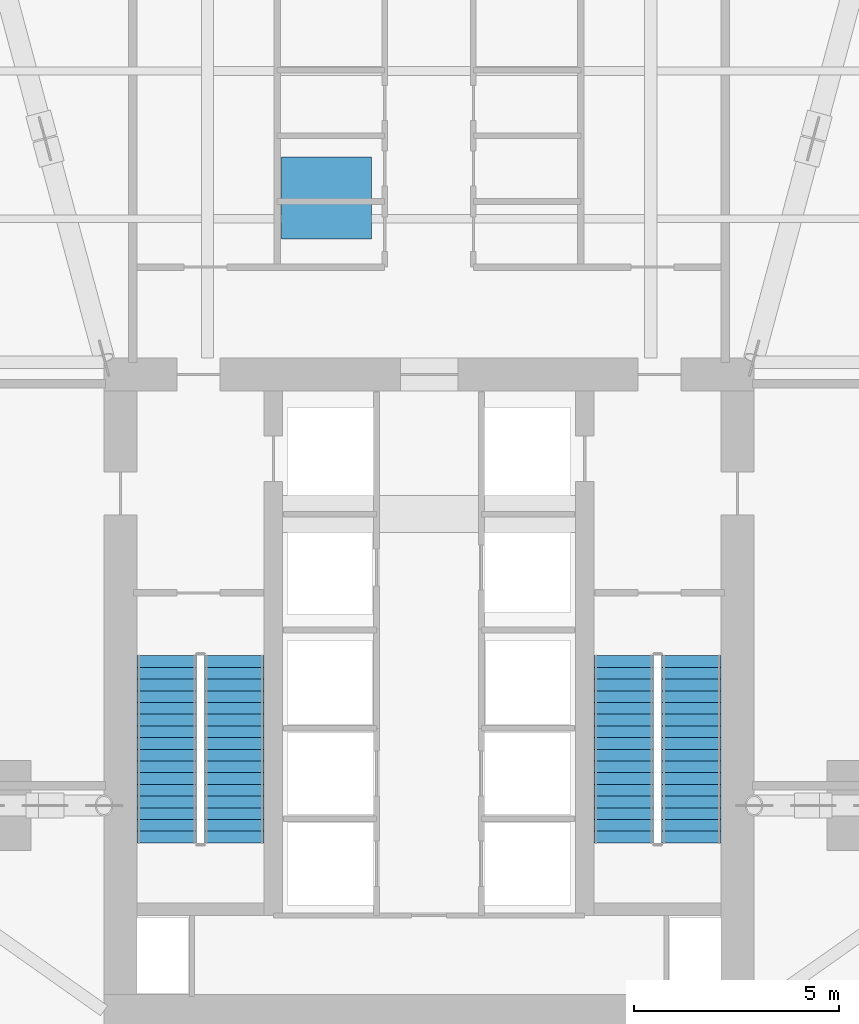
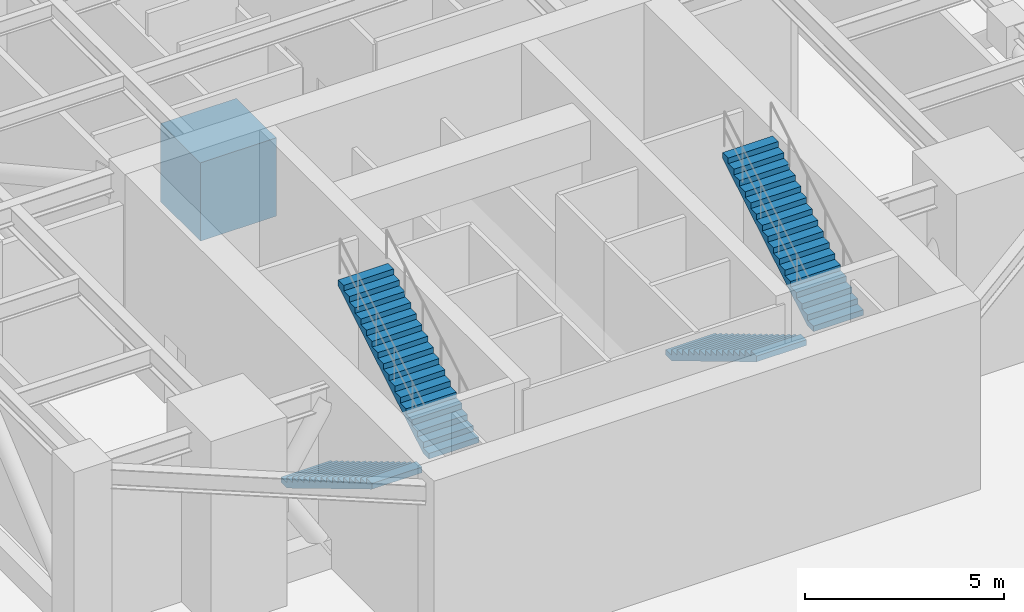
# One storey, part 6 of 10: 4 stair flights, 1 discrete accessory, 2 elements without a shape of their own.
"""IFC4 building model written with IfcOpenShell, lengths in metres."""

from ifc_helpers import new_model, si_unit, direction, frame, origin, origin_2d, place, context, subcontext, project, spatial, polyline, rectangle, outline, extrude, source, transform, mapped, material, type_object, type_shapes, element, aggregate, save


model = new_model("IFC4")

# Units and contexts
model_context = context("Model", 3, precision=1e-05, world=origin(), true_north=direction((0.0, 1.0)))
body_context = subcontext(model_context, "Body", "Model", "MODEL_VIEW")
ifc_project = project(units=[si_unit("LENGTHUNIT", "METRE"), si_unit("AREAUNIT", "SQUARE_METRE"), si_unit("VOLUMEUNIT", "CUBIC_METRE"), si_unit("PLANEANGLEUNIT", "RADIAN"), si_unit("MASSUNIT", "GRAM", prefix="KILO")], contexts=[model_context])

# Site, building, storey
site_placement = place(None, origin())
site = spatial("IfcSite", under=ifc_project, at=site_placement, CompositionType="ELEMENT")
building_placement = place(site_placement, origin())
building = spatial("IfcBuilding", under=site, at=building_placement, Name="Krantzveldt Concourse Tower", CompositionType="ELEMENT")
storey_placement = place(building_placement, frame((0.0, 0.0, 80.300048828125)))
storey = spatial("IfcBuildingStorey", under=building, at=storey_placement, Name="L19", CompositionType="ELEMENT", Elevation=80.300048828125)

# Stair, stair flights
ifc_material_1 = material(Name="Precast concrete C40/50", Category="concrete")
stair_type = type_object("IfcStairType", Name="STR-CORE-DOGLEG", PredefinedType="HALF_TURN_STAIR", material=ifc_material_1)
stair_1_placement = place(storey_placement, origin())
stair_1 = element("IfcStair", 1, at=stair_1_placement, inside=storey, type_object=stair_type, Name="L19 Protected Escape Stair ST-1", PredefinedType="HALF_TURN_STAIR")
stair_flight_type = type_object("IfcStairFlightType", Name="STF-CORE-1450", PredefinedType="STRAIGHT", material=ifc_material_1)
stair_flight_1_placement = place(storey_placement, frame((29.60498046875, 19.550048828125, 0.0), z_axis=(0.0, 0.0, 1.0), x_axis=(0.0, -1.0, 0.0)))
stair_flight_1 = element("IfcStairFlight", 2, at=stair_flight_1_placement, type_object=stair_flight_type, Name="ST-1 flight 1", NumberOfRisers=17, NumberOfTreads=16, PredefinedType="STRAIGHT", RiserHeight=0.170588235, TreadLength=0.285, context=body_context, shape_type="SweptSolid", body=[
    extrude(outline(polyline([(0.0, 0.0), (0.0, 0.170654296875), (0.284912109375, 0.170654296875), (0.284912109375, 0.341064453125), (0.570068359375, 0.341064453125), (0.570068359375, 0.51171875), (0.85498046875, 0.51171875), (0.85498046875, 0.682373046875), (1.139892578125, 0.682373046875), (1.139892578125, 0.85302734375), (1.425048828125, 0.85302734375), (1.425048828125, 1.0234375), (1.7099609375, 1.0234375), (1.7099609375, 1.194091796875), (1.9951171875, 1.194091796875), (1.9951171875, 1.36474609375), (2.280029296875, 1.36474609375), (2.280029296875, 1.535400390625), (2.56494140625, 1.535400390625), (2.56494140625, 1.705810546875), (2.85009765625, 1.705810546875), (2.85009765625, 1.87646484375), (3.135009765625, 1.87646484375), (3.135009765625, 2.047119140625), (3.419921875, 2.047119140625), (3.419921875, 2.217529296875), (3.705078125, 2.217529296875), (3.705078125, 2.38818359375), (3.989990234375, 2.38818359375), (3.989990234375, 2.558837890625), (4.27490234375, 2.558837890625), (4.27490234375, 2.7294921875), (4.56005859375, 2.7294921875), (4.56005859375, 2.89990234375), (4.56005859375, 2.5546875), (0.2919921875, 0.0), (0.0, 0.0)])), frame((0.0, 0.72509765625, 0.0), z_axis=(0.0, -1.0, 0.0), x_axis=(1.0, 0.0, 0.0)), (0.0, 0.0, 1.0), 1.449951171875),
])
stair_flight_2_placement = place(storey_placement, frame((31.2548828125, 14.989990234375, 2.89990234375), z_axis=(0.0, 0.0, 1.0), x_axis=(0.0, 1.0, 0.0)))
stair_flight_2 = element("IfcStairFlight", 3, at=stair_flight_2_placement, type_object=stair_flight_type, Name="ST-1 flight 2", NumberOfRisers=17, NumberOfTreads=16, PredefinedType="STRAIGHT", RiserHeight=0.170588235, TreadLength=0.285, context=body_context, shape_type="SweptSolid", body=[
    extrude(outline(polyline([(0.0, 0.0), (0.0, 0.170654296875), (0.284912109375, 0.170654296875), (0.284912109375, 0.341064453125), (0.570068359375, 0.341064453125), (0.570068359375, 0.51171875), (0.85498046875, 0.51171875), (0.85498046875, 0.682373046875), (1.139892578125, 0.682373046875), (1.139892578125, 0.85302734375), (1.425048828125, 0.85302734375), (1.425048828125, 1.0234375), (1.7099609375, 1.0234375), (1.7099609375, 1.194091796875), (1.9951171875, 1.194091796875), (1.9951171875, 1.36474609375), (2.280029296875, 1.36474609375), (2.280029296875, 1.535400390625), (2.56494140625, 1.535400390625), (2.56494140625, 1.705810546875), (2.85009765625, 1.705810546875), (2.85009765625, 1.87646484375), (3.135009765625, 1.87646484375), (3.135009765625, 2.047119140625), (3.419921875, 2.047119140625), (3.419921875, 2.217529296875), (3.705078125, 2.217529296875), (3.705078125, 2.38818359375), (3.989990234375, 2.38818359375), (3.989990234375, 2.558837890625), (4.27490234375, 2.558837890625), (4.27490234375, 2.7294921875), (4.56005859375, 2.7294921875), (4.56005859375, 2.89990234375), (4.56005859375, 2.5546875), (0.2919921875, 0.0), (0.0, 0.0)])), frame((0.0, 0.72509765625, 0.0), z_axis=(0.0, -1.0, 0.0), x_axis=(1.0, 0.0, 0.0)), (0.0, 0.0, 1.0), 1.449951171875),
])
aggregate(stair_1, [stair_flight_1, stair_flight_2])

stair_2_placement = place(storey_placement, origin())
stair_2 = element("IfcStair", 4, at=stair_2_placement, inside=storey, type_object=stair_type, Name="L19 Protected Escape Stair ST-2", PredefinedType="HALF_TURN_STAIR")
stair_flight_3_placement = place(storey_placement, frame((40.7451171875, 19.550048828125, 0.0), z_axis=(0.0, 0.0, 1.0), x_axis=(0.0, -1.0, 0.0)))
stair_flight_3 = element("IfcStairFlight", 5, at=stair_flight_3_placement, type_object=stair_flight_type, Name="ST-2 flight 1", NumberOfRisers=17, NumberOfTreads=16, PredefinedType="STRAIGHT", RiserHeight=0.170588235, TreadLength=0.285, context=body_context, shape_type="SweptSolid", body=[
    extrude(outline(polyline([(0.0, 0.0), (0.0, 0.170654296875), (0.284912109375, 0.170654296875), (0.284912109375, 0.341064453125), (0.570068359375, 0.341064453125), (0.570068359375, 0.51171875), (0.85498046875, 0.51171875), (0.85498046875, 0.682373046875), (1.139892578125, 0.682373046875), (1.139892578125, 0.85302734375), (1.425048828125, 0.85302734375), (1.425048828125, 1.0234375), (1.7099609375, 1.0234375), (1.7099609375, 1.194091796875), (1.9951171875, 1.194091796875), (1.9951171875, 1.36474609375), (2.280029296875, 1.36474609375), (2.280029296875, 1.535400390625), (2.56494140625, 1.535400390625), (2.56494140625, 1.705810546875), (2.85009765625, 1.705810546875), (2.85009765625, 1.87646484375), (3.135009765625, 1.87646484375), (3.135009765625, 2.047119140625), (3.419921875, 2.047119140625), (3.419921875, 2.217529296875), (3.705078125, 2.217529296875), (3.705078125, 2.38818359375), (3.989990234375, 2.38818359375), (3.989990234375, 2.558837890625), (4.27490234375, 2.558837890625), (4.27490234375, 2.7294921875), (4.56005859375, 2.7294921875), (4.56005859375, 2.89990234375), (4.56005859375, 2.5546875), (0.2919921875, 0.0), (0.0, 0.0)])), frame((0.0, 0.72509765625, 0.0), z_axis=(0.0, -1.0, 0.0), x_axis=(1.0, 0.0, 0.0)), (0.0, 0.0, 1.0), 1.449951171875),
])
stair_flight_4_placement = place(storey_placement, frame((42.39501953125, 14.989990234375, 2.89990234375), z_axis=(0.0, 0.0, 1.0), x_axis=(0.0, 1.0, 0.0)))
stair_flight_4 = element("IfcStairFlight", 6, at=stair_flight_4_placement, type_object=stair_flight_type, Name="ST-2 flight 2", NumberOfRisers=17, NumberOfTreads=16, PredefinedType="STRAIGHT", RiserHeight=0.170588235, TreadLength=0.285, context=body_context, shape_type="SweptSolid", body=[
    extrude(outline(polyline([(0.0, 0.0), (0.0, 0.170654296875), (0.284912109375, 0.170654296875), (0.284912109375, 0.341064453125), (0.570068359375, 0.341064453125), (0.570068359375, 0.51171875), (0.85498046875, 0.51171875), (0.85498046875, 0.682373046875), (1.139892578125, 0.682373046875), (1.139892578125, 0.85302734375), (1.425048828125, 0.85302734375), (1.425048828125, 1.0234375), (1.7099609375, 1.0234375), (1.7099609375, 1.194091796875), (1.9951171875, 1.194091796875), (1.9951171875, 1.36474609375), (2.280029296875, 1.36474609375), (2.280029296875, 1.535400390625), (2.56494140625, 1.535400390625), (2.56494140625, 1.705810546875), (2.85009765625, 1.705810546875), (2.85009765625, 1.87646484375), (3.135009765625, 1.87646484375), (3.135009765625, 2.047119140625), (3.419921875, 2.047119140625), (3.419921875, 2.217529296875), (3.705078125, 2.217529296875), (3.705078125, 2.38818359375), (3.989990234375, 2.38818359375), (3.989990234375, 2.558837890625), (4.27490234375, 2.558837890625), (4.27490234375, 2.7294921875), (4.56005859375, 2.7294921875), (4.56005859375, 2.89990234375), (4.56005859375, 2.5546875), (0.2919921875, 0.0), (0.0, 0.0)])), frame((0.0, 0.72509765625, 0.0), z_axis=(0.0, -1.0, 0.0), x_axis=(1.0, 0.0, 0.0)), (0.0, 0.0, 1.0), 1.449951171875),
])
aggregate(stair_2, [stair_flight_3, stair_flight_4])

# Discrete accessory
ifc_material_2 = material(Name="Galvanised steel", Category="steel")
discrete_accessory_type = type_object("IfcDiscreteAccessoryType", Name="EQ-CHILLER-SKID", PredefinedType="USERDEFINED", material=ifc_material_2)
shared_shape = source(origin(), body_context, "Body", "SweptSolid", [
    extrude(rectangle(XDim=2.199951171875, YDim=2.0, at=origin_2d()), origin(), (0.0, 0.0, 1.0), 2.39990234375),
])
type_shapes(discrete_accessory_type, [shared_shape])
discrete_accessory_placement = place(storey_placement, frame((33.5, 30.699951171875, 0.0), z_axis=(0.0, 0.0, 1.0), x_axis=(1.0, 0.0, 0.0)))
element("IfcDiscreteAccessory", 7, at=discrete_accessory_placement, inside=storey, type_object=discrete_accessory_type, Name="EQ-L19-CHL1", ObjectType="CHILLER SKID", PredefinedType="USERDEFINED", context=body_context, shape_type="MappedRepresentation", body=[
    mapped(shared_shape, transform((0.0, 0.0, 0.0), x_axis=(1.0, 0.0, 0.0), y_axis=(0.0, 1.0, 0.0), z_axis=(0.0, 0.0, 1.0), scale=1.0)),
])

save(model, "model.ifc")
